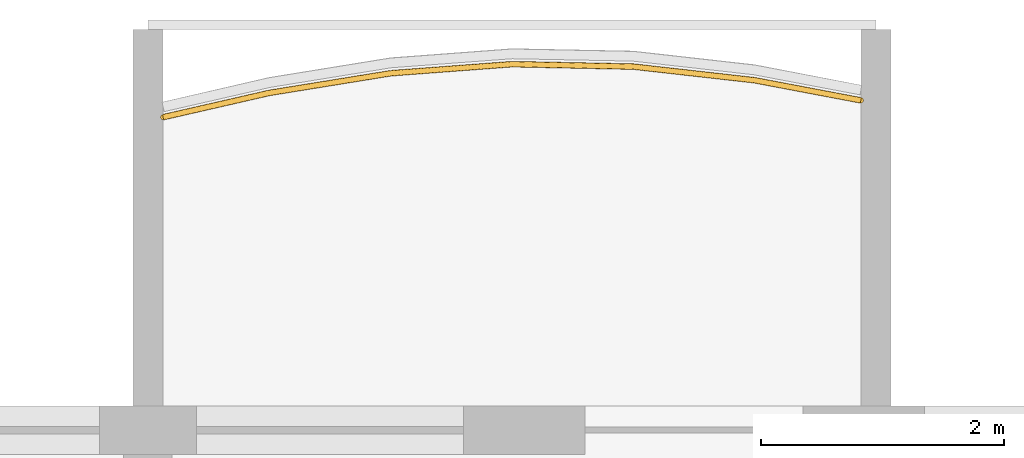
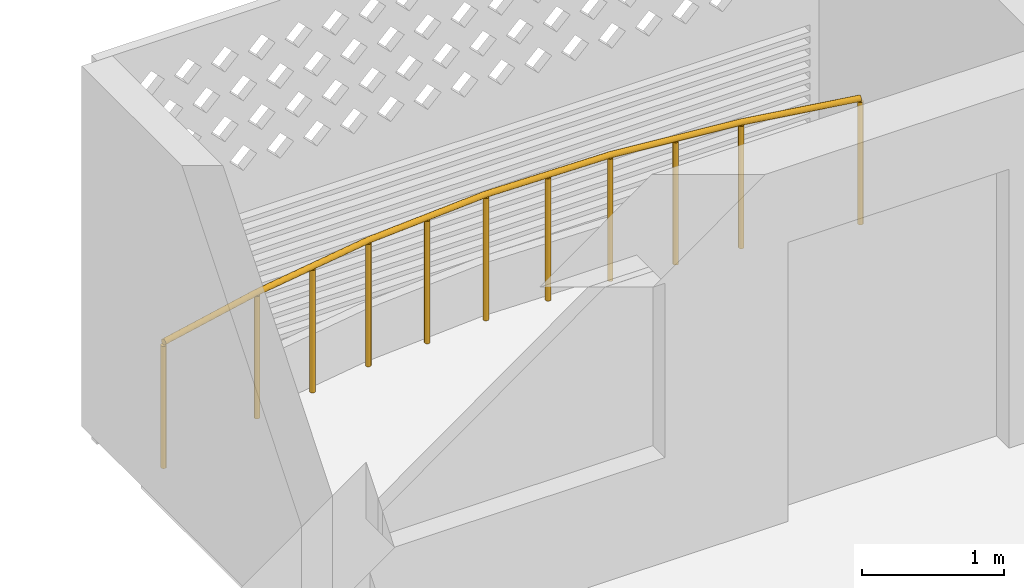
# One storey, part 39 of 44: 1 railing.
"""IFC4 building model written with IfcOpenShell, lengths in metres."""

from ifc_helpers import new_model, si_unit, direction, frame, origin, origin_2d, place, context, subcontext, project, spatial, circle, extrude, material, type_object, element, save


model = new_model("IFC4")

# Units and contexts
model_context = context("Model", 3, precision=1e-05, world=origin(), true_north=direction((0.0, 1.0)))
body_context = subcontext(model_context, "Body", "Model", "MODEL_VIEW")
ifc_project = project(units=[si_unit("LENGTHUNIT", "METRE"), si_unit("AREAUNIT", "SQUARE_METRE"), si_unit("VOLUMEUNIT", "CUBIC_METRE"), si_unit("PLANEANGLEUNIT", "RADIAN"), si_unit("MASSUNIT", "GRAM", prefix="KILO")], contexts=[model_context])

# Site, building, storey
site_placement = place(None, origin())
site = spatial("IfcSite", under=ifc_project, at=site_placement, CompositionType="ELEMENT")
building_placement = place(site_placement, origin())
building = spatial("IfcBuilding", under=site, at=building_placement, Name="Poui Terraces", CompositionType="ELEMENT")
storey_placement = place(building_placement, frame((0.0, 0.0, 30.0)))
storey = spatial("IfcBuildingStorey", under=building, at=storey_placement, Name="L07", CompositionType="ELEMENT", Elevation=30.0)

# Railing
ifc_material = material(Name="Painted steel fretwork", Category="steel")
railing_type = type_object("IfcRailingType", Name="BALCONY GUARD 1100", PredefinedType="GUARDRAIL", material=ifc_material)
railing_placement = place(storey_placement, frame((72.125, 47.37890625, 0.0)))
element("IfcRailing", 1, at=railing_placement, inside=storey, type_object=railing_type, Name="BALCONY GUARD", PredefinedType="GUARDRAIL", context=body_context, shape_type="SweptSolid", body=[
    extrude(circle(Radius=0.02392578125, at=origin_2d()), frame((0.0, 0.0, 1.076171875), z_axis=(0.974811218774, 0.223031584653, 0.0), x_axis=(-0.223031584653, 0.974811218774, 0.0)), (0.0, 0.0, 1.0), 0.897705078125),
    extrude(circle(Radius=0.02392578125, at=origin_2d()), frame((0.875, 0.2001953125, 1.076171875), z_axis=(0.987151750337, 0.159785549432, 0.0), x_axis=(-0.159785549432, 0.987151750337, 0.0)), (0.0, 0.0, 1.0), 1.012939453125),
    extrude(circle(Radius=0.02392578125, at=origin_2d()), frame((1.875, 0.362060546875, 1.076171875), z_axis=(0.997202940152, 0.074741528962, 0.0), x_axis=(-0.074741528962, 0.997202940152, 0.0)), (0.0, 0.0, 1.0), 1.002685546875),
    extrude(circle(Radius=0.02392578125, at=origin_2d()), frame((2.875, 0.43701171875, 1.076171875), z_axis=(0.999799669399, -0.020015520725, 0.0), x_axis=(0.020015520725, 0.999799669399, 0.0)), (0.0, 0.0, 1.0), 1.000244140625),
    extrude(circle(Radius=0.02392578125, at=origin_2d()), frame((3.875, 0.4169921875, 1.076171875), z_axis=(0.993725924527, -0.111842688283, 0.0), x_axis=(0.111842688283, 0.993725924527, 0.0)), (0.0, 0.0, 1.0), 1.00634765625),
    extrude(circle(Radius=0.02392578125, at=origin_2d()), frame((4.875, 0.304443359375, 1.076171875), z_axis=(0.98252284804, -0.186142023945, 0.0), x_axis=(0.186142023945, 0.98252284804, 0.0)), (0.0, 0.0, 1.0), 0.890625),
    extrude(circle(Radius=0.02099609375, at=origin_2d()), origin(), (0.0, 0.0, 1.0), 1.052001953125),
    extrude(circle(Radius=0.02099609375, at=origin_2d()), frame((0.875, 0.2001953125, 0.0)), (0.0, 0.0, 1.0), 1.052001953125),
    extrude(circle(Radius=0.02099609375, at=origin_2d()), frame((1.375, 0.28125, 0.0)), (0.0, 0.0, 1.0), 1.052001953125),
    extrude(circle(Radius=0.02099609375, at=origin_2d()), frame((1.875, 0.362060546875, 0.0)), (0.0, 0.0, 1.0), 1.052001953125),
    extrude(circle(Radius=0.02099609375, at=origin_2d()), frame((2.375, 0.3994140625, 0.0)), (0.0, 0.0, 1.0), 1.052001953125),
    extrude(circle(Radius=0.02099609375, at=origin_2d()), frame((2.875, 0.43701171875, 0.0)), (0.0, 0.0, 1.0), 1.052001953125),
    extrude(circle(Radius=0.02099609375, at=origin_2d()), frame((3.375, 0.427001953125, 0.0)), (0.0, 0.0, 1.0), 1.052001953125),
    extrude(circle(Radius=0.02099609375, at=origin_2d()), frame((3.875, 0.4169921875, 0.0)), (0.0, 0.0, 1.0), 1.052001953125),
    extrude(circle(Radius=0.02099609375, at=origin_2d()), frame((4.375, 0.36083984375, 0.0)), (0.0, 0.0, 1.0), 1.052001953125),
    extrude(circle(Radius=0.02099609375, at=origin_2d()), frame((4.875, 0.304443359375, 0.0)), (0.0, 0.0, 1.0), 1.052001953125),
    extrude(circle(Radius=0.02099609375, at=origin_2d()), frame((5.75, 0.138671875, 0.0)), (0.0, 0.0, 1.0), 1.052001953125),
])

save(model, "model.ifc")
